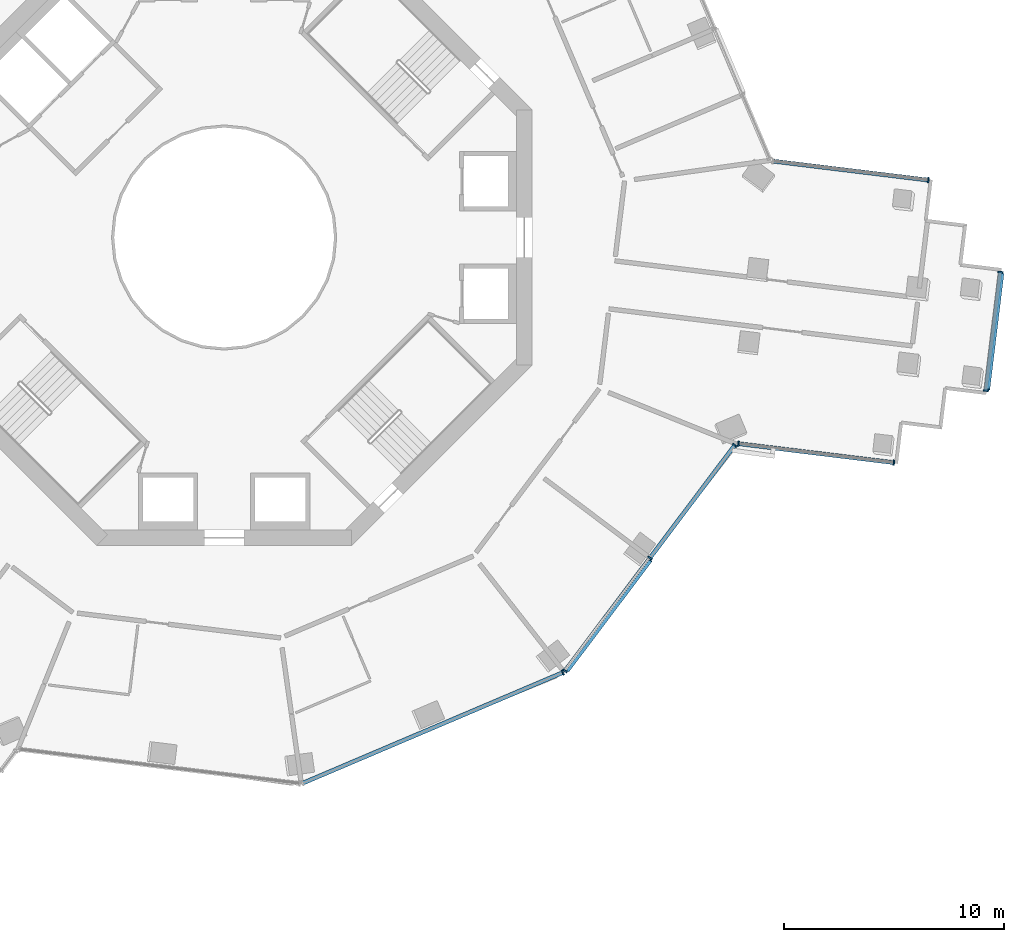
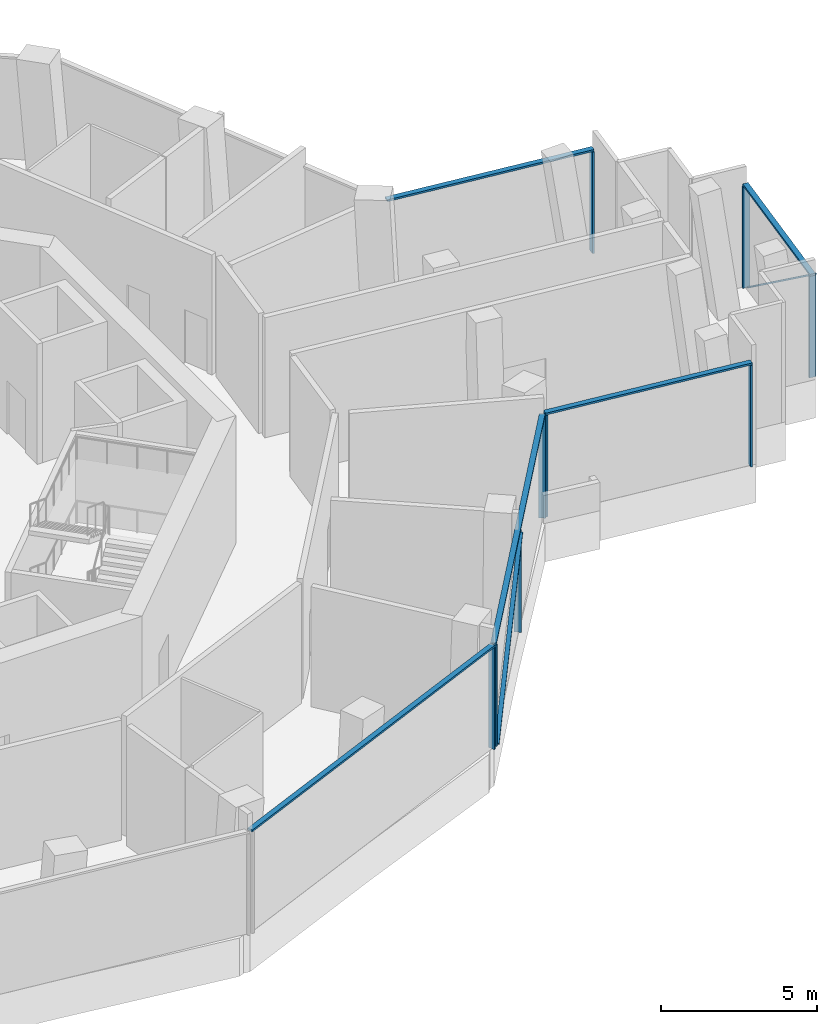
# One storey, part 3 of 17: 16 members, 5 elements without a shape of their own.
"""IFC4 building model written with IfcOpenShell, lengths in metres."""

from ifc_helpers import new_model, si_unit, direction, frame, origin, origin_2d, place, context, subcontext, project, spatial, rectangle, extrude, material, layer, layer_set, material_profile, profile_set, type_object, element, aggregate, save


model = new_model("IFC4")

# Units and contexts
model_context = context("Model", 3, precision=1e-05, world=origin(), true_north=direction((0.0, 1.0)))
body_context = subcontext(model_context, "Body", "Model", "MODEL_VIEW")
ifc_project = project(units=[si_unit("LENGTHUNIT", "METRE"), si_unit("AREAUNIT", "SQUARE_METRE"), si_unit("VOLUMEUNIT", "CUBIC_METRE"), si_unit("PLANEANGLEUNIT", "RADIAN"), si_unit("MASSUNIT", "GRAM", prefix="KILO")], contexts=[model_context])

# Site, building, storey
site_placement = place(None, origin())
site = spatial("IfcSite", under=ifc_project, at=site_placement, CompositionType="ELEMENT")
building_placement = place(site_placement, origin())
building = spatial("IfcBuilding", under=site, at=building_placement, Name="Verdalira Terraces Hotel", CompositionType="ELEMENT")
storey_placement = place(building_placement, frame((0.0, 0.0, 128.0)))
storey = spatial("IfcBuildingStorey", under=building, at=storey_placement, Name="L30", CompositionType="ELEMENT", Elevation=128.0)

# Curtain wall, member
ifc_material_1 = material(Name="Clear glass", Category="glass")
ifc_layer = layer(ifc_material_1, 0.239990234375)
ifc_layer_set = layer_set([ifc_layer], Name="CW5 curtain wall")
curtain_wall_type = type_object("IfcCurtainWallType", Name="CW5 curtain wall", PredefinedType="NOTDEFINED", material=ifc_layer_set)
curtain_wall_1_placement = place(storey_placement, origin())
curtain_wall_1 = element("IfcCurtainWall", 1, at=curtain_wall_1_placement, inside=storey, type_object=curtain_wall_type, Name="CW5 curtain wall L30 edge 26", PredefinedType="NOTDEFINED")
ifc_material_2 = material(Name="Terracotta frame", Category="masonry")
ifc_material_profile_1 = material_profile(ifc_material_2, rectangle(XDim=0.070068, YDim=0.23999, at=origin_2d()), Name="MU 70x240")
ifc_profile_set_1 = profile_set([ifc_material_profile_1], Name="Terracotta frame")
member_type_1 = type_object("IfcMemberType", Name="CW5 mullion 70x240", PredefinedType="MULLION", material=ifc_profile_set_1)
member_1_placement = place(storey_placement, frame((15.394531, -19.78125, 0.0), z_axis=(0.0, 0.0, 1.0), x_axis=(0.920231847, 0.391373667, 0.0)))
member_1 = element("IfcMember", 2, at=member_1_placement, type_object=member_type_1, Name="CW5 mullion", PredefinedType="MULLION", context=body_context, shape_type="SweptSolid", body=[
    extrude(rectangle(XDim=0.070068, YDim=0.23999, at=origin_2d()), origin(), (0.0, 0.0, 1.0), 3.965088),
])

# Curtain wall, members
curtain_wall_2_placement = place(storey_placement, origin())
curtain_wall_2 = element("IfcCurtainWall", 3, at=curtain_wall_2_placement, inside=storey, type_object=curtain_wall_type, Name="CW5 curtain wall L30 edge 27", PredefinedType="NOTDEFINED")
member_2_placement = place(storey_placement, frame((15.496826, -19.701172, 0.0), z_axis=(0.0, 0.0, 1.0), x_axis=(0.601257324, 0.799055462, 0.0)))
member_2 = element("IfcMember", 4, at=member_2_placement, type_object=member_type_1, Name="CW5 mullion", PredefinedType="MULLION", context=body_context, shape_type="SweptSolid", body=[
    extrude(rectangle(XDim=0.070068, YDim=0.23999, at=origin_2d()), origin(), (0.0, 0.0, 1.0), 3.965088),
])
member_3_placement = place(storey_placement, frame((19.359863, -14.567383, 0.0), z_axis=(0.0, 0.0, 1.0), x_axis=(0.601257324, 0.799055462, 0.0)))
member_3 = element("IfcMember", 5, at=member_3_placement, type_object=member_type_1, Name="CW5 mullion", PredefinedType="MULLION", context=body_context, shape_type="SweptSolid", body=[
    extrude(rectangle(XDim=0.070068, YDim=0.23999, at=origin_2d()), origin(), (0.0, 0.0, 1.0), 3.965088),
])
member_4_placement = place(storey_placement, frame((23.215576, -9.443115, 0.0), z_axis=(0.0, 0.0, 1.0), x_axis=(0.601257324, 0.799055462, 0.0)))
member_4 = element("IfcMember", 6, at=member_4_placement, type_object=member_type_1, Name="CW5 mullion", PredefinedType="MULLION", context=body_context, shape_type="SweptSolid", body=[
    extrude(rectangle(XDim=0.070068, YDim=0.23999, at=origin_2d()), origin(), (0.0, 0.0, 1.0), 3.965088),
])

curtain_wall_3_placement = place(storey_placement, origin())
curtain_wall_3 = element("IfcCurtainWall", 7, at=curtain_wall_3_placement, inside=storey, type_object=curtain_wall_type, Name="CW5 curtain wall L30 edge 28", PredefinedType="NOTDEFINED")
member_5_placement = place(storey_placement, frame((23.381836, -9.372314, 0.0), z_axis=(0.0, 0.0, 1.0), x_axis=(0.992630991, -0.121176386, 0.0)))
member_5 = element("IfcMember", 8, at=member_5_placement, type_object=member_type_1, Name="CW5 mullion", PredefinedType="MULLION", context=body_context, shape_type="SweptSolid", body=[
    extrude(rectangle(XDim=0.070068, YDim=0.23999, at=origin_2d()), origin(), (0.0, 0.0, 1.0), 3.965088),
])
member_6_placement = place(storey_placement, frame((30.449219, -10.235107, 0.0), z_axis=(0.0, 0.0, 1.0), x_axis=(0.992630991, -0.121176386, 0.0)))
member_6 = element("IfcMember", 9, at=member_6_placement, type_object=member_type_1, Name="CW5 mullion", PredefinedType="MULLION", context=body_context, shape_type="SweptSolid", body=[
    extrude(rectangle(XDim=0.070068, YDim=0.23999, at=origin_2d()), origin(), (0.0, 0.0, 1.0), 3.965088),
])

curtain_wall_4_placement = place(storey_placement, origin())
curtain_wall_4 = element("IfcCurtainWall", 10, at=curtain_wall_4_placement, inside=storey, type_object=curtain_wall_type, Name="CW5 curtain wall L30 edge 33", PredefinedType="NOTDEFINED")
member_7_placement = place(storey_placement, frame((34.631348, -6.962891, 0.0), z_axis=(0.0, 0.0, 1.0), x_axis=(0.121176386, 0.992630991, 0.0)))
member_7 = element("IfcMember", 11, at=member_7_placement, type_object=member_type_1, Name="CW5 mullion", PredefinedType="MULLION", context=body_context, shape_type="SweptSolid", body=[
    extrude(rectangle(XDim=0.070068, YDim=0.23999, at=origin_2d()), origin(), (0.0, 0.0, 1.0), 3.965088),
])
member_8_placement = place(storey_placement, frame((35.289551, -1.572754, 0.0), z_axis=(0.0, 0.0, 1.0), x_axis=(0.121176386, 0.992630991, 0.0)))
member_8 = element("IfcMember", 12, at=member_8_placement, type_object=member_type_1, Name="CW5 mullion", PredefinedType="MULLION", context=body_context, shape_type="SweptSolid", body=[
    extrude(rectangle(XDim=0.070068, YDim=0.23999, at=origin_2d()), origin(), (0.0, 0.0, 1.0), 3.965088),
])

# Curtain wall, member
curtain_wall_5_placement = place(storey_placement, origin())
curtain_wall_5 = element("IfcCurtainWall", 13, at=curtain_wall_5_placement, inside=storey, type_object=curtain_wall_type, Name="CW5 curtain wall L30 edge 38", PredefinedType="NOTDEFINED")
member_9_placement = place(storey_placement, frame((32.01709, 2.609619, 0.0), z_axis=(0.0, 0.0, 1.0), x_axis=(-0.992630991, 0.121176386, 0.0)))
member_9 = element("IfcMember", 14, at=member_9_placement, type_object=member_type_1, Name="CW5 mullion", PredefinedType="MULLION", context=body_context, shape_type="SweptSolid", body=[
    extrude(rectangle(XDim=0.070068, YDim=0.23999, at=origin_2d()), origin(), (0.0, 0.0, 1.0), 3.965088),
])

# Member
ifc_material_3 = material(Name="Terracotta frame", Category="masonry")
ifc_material_profile_2 = material_profile(ifc_material_3, rectangle(XDim=0.189941, YDim=0.074951, at=origin_2d()), Name="TR 75x190")
ifc_profile_set_2 = profile_set([ifc_material_profile_2], Name="Terracotta frame")
member_type_2 = type_object("IfcMemberType", Name="CW5 transom 75x190", PredefinedType="USERDEFINED", material=ifc_profile_set_2)
member_10_placement = place(storey_placement, frame((3.537842, -24.823975, 4.002441), z_axis=(0.92023038, 0.391377116, 0.0), x_axis=(-0.391377116, 0.92023038, 0.0)))
member_10 = element("IfcMember", 15, at=member_10_placement, type_object=member_type_2, Name="CW5 transom", ObjectType="TRANSOM", PredefinedType="USERDEFINED", context=body_context, shape_type="SweptSolid", body=[
    extrude(rectangle(XDim=0.189941, YDim=0.074951, at=origin_2d()), origin(), (0.0, 0.0, 1.0), 12.919434),
])

aggregate(curtain_wall_1, [member_1, member_10])

member_11_placement = place(storey_placement, frame((15.47583, -19.729248, 4.002441), z_axis=(0.601255146, 0.7990571, 0.0), x_axis=(-0.7990571, 0.601255146, 0.0)))
member_11 = element("IfcMember", 16, at=member_11_placement, type_object=member_type_2, Name="CW5 transom", ObjectType="TRANSOM", PredefinedType="USERDEFINED", context=body_context, shape_type="SweptSolid", body=[
    extrude(rectangle(XDim=0.189941, YDim=0.074951, at=origin_2d()), origin(), (0.0, 0.0, 1.0), 12.907959),
])

member_12_placement = place(storey_placement, frame((23.347168, -9.368164, 4.002441), z_axis=(0.992633133, -0.121158833, 0.0), x_axis=(0.121158833, 0.992633133, 0.0)))
member_12 = element("IfcMember", 17, at=member_12_placement, type_object=member_type_2, Name="CW5 transom", ObjectType="TRANSOM", PredefinedType="USERDEFINED", context=body_context, shape_type="SweptSolid", body=[
    extrude(rectangle(XDim=0.189941, YDim=0.074951, at=origin_2d()), origin(), (0.0, 0.0, 1.0), 7.189697),
])

aggregate(curtain_wall_3, [member_5, member_6, member_12])

member_13_placement = place(storey_placement, frame((34.627197, -6.997559, 4.002441), z_axis=(0.12118239, 0.992630258, 0.0), x_axis=(-0.992630258, 0.12118239, 0.0)))
member_13 = element("IfcMember", 18, at=member_13_placement, type_object=member_type_2, Name="CW5 transom", ObjectType="TRANSOM", PredefinedType="USERDEFINED", context=body_context, shape_type="SweptSolid", body=[
    extrude(rectangle(XDim=0.189941, YDim=0.074951, at=origin_2d()), origin(), (0.0, 0.0, 1.0), 5.5),
])

member_14_placement = place(storey_placement, frame((32.052002, 2.605225, 4.002441), z_axis=(-0.992629547, 0.121188207, 0.0), x_axis=(-0.121188207, -0.992629547, 0.0)))
member_14 = element("IfcMember", 19, at=member_14_placement, type_object=member_type_2, Name="CW5 transom", ObjectType="TRANSOM", PredefinedType="USERDEFINED", context=body_context, shape_type="SweptSolid", body=[
    extrude(rectangle(XDim=0.189941, YDim=0.074951, at=origin_2d()), origin(), (0.0, 0.0, 1.0), 7.189941),
])

aggregate(curtain_wall_5, [member_9, member_14])

ifc_material_4 = material(Name="Terracotta frame", Category="masonry")
ifc_material_profile_3 = material_profile(ifc_material_4, rectangle(XDim=0.149902, YDim=0.060059, at=origin_2d()), Name="GB 60x150")
ifc_profile_set_3 = profile_set([ifc_material_profile_3], Name="Terracotta frame")
member_type_3 = type_object("IfcMemberType", Name="Diagonal glazing bar 60x150", PredefinedType="USERDEFINED", material=ifc_profile_set_3)
member_15_placement = place(storey_placement, frame((15.62085, -19.697754, 0.026611), z_axis=(0.510109144, 0.677932112, 0.529336106), x_axis=(-0.79905982, 0.601251532, 0.0)))
member_15 = element("IfcMember", 20, at=member_15_placement, type_object=member_type_3, Name="Diagonal glazing bar", ObjectType="GLAZING BAR", PredefinedType="USERDEFINED", context=body_context, shape_type="SweptSolid", body=[
    extrude(rectangle(XDim=0.149902, YDim=0.060059, at=origin_2d()), origin(), (0.0, 0.0, 1.0), 7.390137),
])

aggregate(curtain_wall_2, [member_2, member_3, member_4, member_11, member_15])

member_16_placement = place(storey_placement, frame((34.736084, -6.905762, 3.939697), z_axis=(0.097442743, 0.798014153, -0.594708604), x_axis=(-0.99262734, 0.121206285, 0.0)))
member_16 = element("IfcMember", 21, at=member_16_placement, type_object=member_type_3, Name="Diagonal glazing bar", ObjectType="GLAZING BAR", PredefinedType="USERDEFINED", context=body_context, shape_type="SweptSolid", body=[
    extrude(rectangle(XDim=0.149902, YDim=0.060059, at=origin_2d()), origin(), (0.0, 0.0, 1.0), 6.581787),
])

aggregate(curtain_wall_4, [member_7, member_8, member_13, member_16])

save(model, "model.ifc")
